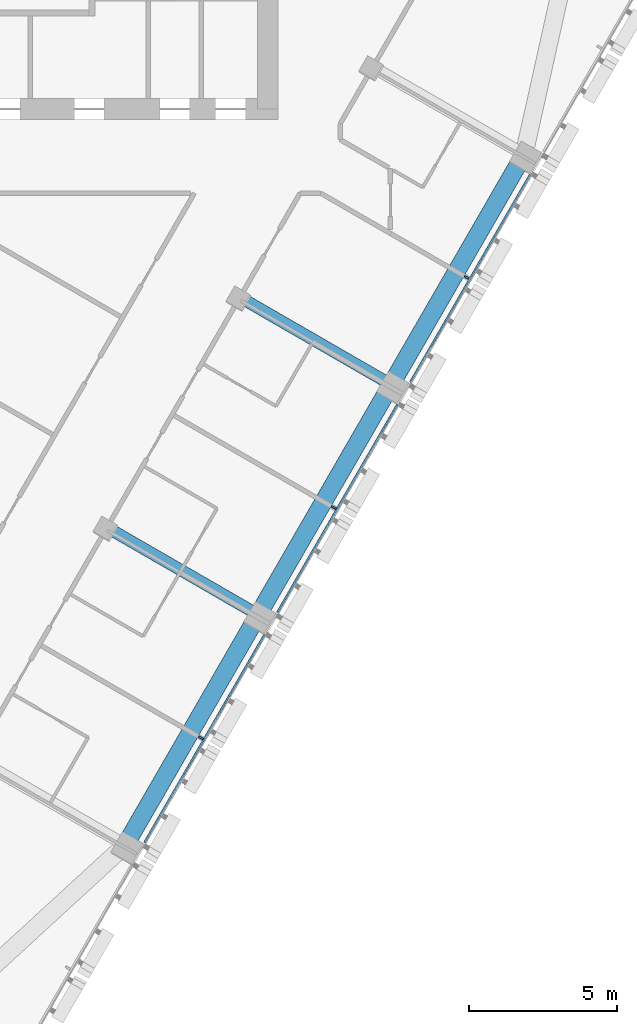
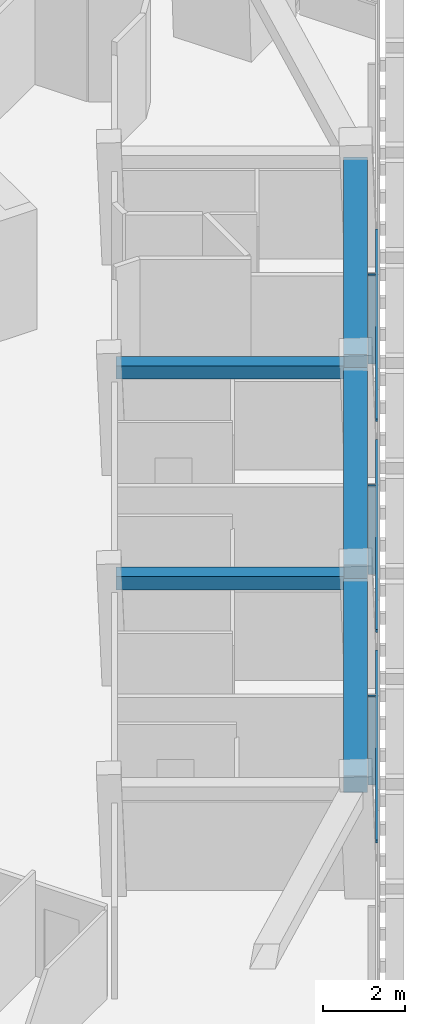
# One storey, part 4 of 16: 6 members, 5 beams, 1 element without a shape of its own.
"""IFC4 building model written with IfcOpenShell, lengths in metres."""

import ifcopenshell
import ifcopenshell.guid

model = None  # the IFC model being written
_history = None  # IfcOwnerHistory: only IFC2X3 demands one
_inside = {}  # id of a spatial element -> (the spatial element, [elements in it])
_under = {}  # id of a project, library or spatial element -> (it, [spatial elements below it])
_declared = {}  # id of a project -> (the project, [libraries it declares])
_typed = {}  # id of a type object -> (the type object, [elements of that type])
_made_of = {}  # id of a material, layer set ... -> (it, [elements and type objects made of it])


def new_model(schema):
    """Start an empty IFC model of exactly this schema.

    Asked for "IFC4X3", IfcOpenShell would pick the latest addendum, in which some entities
    have other attributes; the version numbers below select the first issue.
    IFC2X3 requires an IfcOwnerHistory on every rooted entity: one is made here for all.
    """
    global model, _history
    if schema == "IFC4X3":
        model = ifcopenshell.file(schema_version=(4, 3, 0, 0))
    else:
        model = ifcopenshell.file(schema=schema)
    _inside.clear()
    _under.clear()
    _declared.clear()
    _typed.clear()
    _made_of.clear()
    _history = None
    if model.schema == "IFC2X3":
        org = make("IfcOrganization", Name="unknown")
        user = make(
            "IfcPersonAndOrganization",
            ThePerson=make("IfcPerson", FamilyName="unknown"),
            TheOrganization=org,
        )
        app = make(
            "IfcApplication",
            ApplicationDeveloper=org,
            Version="unknown",
            ApplicationFullName="unknown",
            ApplicationIdentifier="unknown",
        )
        _history = make(
            "IfcOwnerHistory",
            OwningUser=user,
            OwningApplication=app,
            ChangeAction="ADDED",
            CreationDate=0,
        )
    return model


def make(cls, **values):
    """One entity of the class cls with the attributes given. An attribute that is None is left unset."""
    return model.create_entity(
        cls, **{name: value for name, value in values.items() if value is not None}
    )


def rooted(cls, **values):
    """An entity with a GlobalId (a new one), such as an element, a storey or a relation."""
    return make(cls, GlobalId=ifcopenshell.guid.new(), OwnerHistory=_history, **values)


def si_unit(unit_type, name, prefix=None):
    """IfcSIUnit, for example si_unit("LENGTHUNIT", "METRE", prefix="MILLI")."""
    return make("IfcSIUnit", UnitType=unit_type, Prefix=prefix, Name=name)


def assignment(units):
    """IfcUnitAssignment: the units of a project."""
    return None if units is None else make("IfcUnitAssignment", Units=units)


def point(xyz):
    """IfcCartesianPoint."""
    return None if xyz is None else make("IfcCartesianPoint", Coordinates=xyz)


def direction(xyz):
    """IfcDirection."""
    return None if xyz is None else make("IfcDirection", DirectionRatios=xyz)


def frame(location, z_axis=None, x_axis=None):
    """IfcAxis2Placement3D, a coordinate frame: its origin and axes. An axis left out is left unset."""
    return make(
        "IfcAxis2Placement3D",
        Location=point(location),
        Axis=direction(z_axis),
        RefDirection=direction(x_axis),
    )


def frame_2d(location, x_axis=None):
    """IfcAxis2Placement2D, a coordinate frame in the plane: its origin and x axis."""
    return make(
        "IfcAxis2Placement2D", Location=point(location), RefDirection=direction(x_axis)
    )


def origin():
    """The frame at (0, 0, 0) with its axes left unset."""
    return frame((0.0, 0.0, 0.0))


def origin_2d():
    """The frame at (0, 0) in the plane with its x axis left unset."""
    return frame_2d((0.0, 0.0))


def place(relative_to, where):
    """IfcLocalPlacement: puts the frame where relative to a parent placement (None: the world)."""
    return make(
        "IfcLocalPlacement", PlacementRelTo=relative_to, RelativePlacement=where
    )


def context(
    kind, dimensions, precision=None, world=None, true_north=None, identifier=None
):
    """IfcGeometricRepresentationContext, for example the 3D "Model" context."""
    return make(
        "IfcGeometricRepresentationContext",
        ContextIdentifier=identifier,
        ContextType=kind,
        CoordinateSpaceDimension=dimensions,
        Precision=precision,
        WorldCoordinateSystem=world,
        TrueNorth=true_north,
    )


def subcontext(parent, identifier, kind, view, scale=None):
    """IfcGeometricRepresentationSubContext, for example "Body" below "Model"."""
    return make(
        "IfcGeometricRepresentationSubContext",
        ContextIdentifier=identifier,
        ContextType=kind,
        ParentContext=parent,
        TargetScale=scale,
        TargetView=view,
    )


def project(units=None, contexts=None):
    """IfcProject with its units and contexts."""
    return rooted(
        "IfcProject",
        Name="project",
        RepresentationContexts=contexts,
        UnitsInContext=assignment(units),
    )


def spatial(cls, under=None, at=None, **own):
    """A site, building, storey or space (cls), placed at a placement, below another one or the project."""
    s = rooted(cls, ObjectPlacement=at, **own)
    if under is not None:
        _under.setdefault(under.id(), (under, []))[1].append(s)
    return s


def profile(cls, at=None, kind="AREA", **sizes):
    """A parametric profile (cls). Its sizes go by their IFC names, for example OverallWidth=200.0."""
    return make(cls, ProfileType=kind, Position=at, **sizes)


def rectangle(**sizes):
    """IfcRectangleProfileDef."""
    return profile("IfcRectangleProfileDef", **sizes)


def extrude(swept, where, along, depth):
    """IfcExtrudedAreaSolid: the profile swept, set in the frame where, extruded along a direction by depth."""
    return make(
        "IfcExtrudedAreaSolid",
        SweptArea=swept,
        Position=where,
        ExtrudedDirection=direction(along),
        Depth=depth,
    )


def shape(context_of_items, identifier, shape_type, items):
    """IfcShapeRepresentation: the items that make up one representation, for example the "Body"."""
    return make(
        "IfcShapeRepresentation",
        ContextOfItems=context_of_items,
        RepresentationIdentifier=identifier,
        RepresentationType=shape_type,
        Items=items,
    )


def material(Name=None, Category=None):
    """IfcMaterial."""
    return make("IfcMaterial", Name=Name, Category=Category)


def layer(
    of_material, thickness, ventilated=None, Name=None, Category=None, Priority=None
):
    """IfcMaterialLayer: one layer of a wall or slab, of a material (None: an air gap)."""
    return make(
        "IfcMaterialLayer",
        Material=of_material,
        LayerThickness=thickness,
        IsVentilated=ventilated,
        Name=Name,
        Category=Category,
        Priority=Priority,
    )


def layer_set(layers, Name=None):
    """IfcMaterialLayerSet."""
    return make("IfcMaterialLayerSet", MaterialLayers=layers, LayerSetName=Name)


def material_profile(
    of_material, cross_section, Name=None, Category=None, Priority=None
):
    """IfcMaterialProfile: a cross section and its material."""
    return make(
        "IfcMaterialProfile",
        Name=Name,
        Material=of_material,
        Profile=cross_section,
        Priority=Priority,
        Category=Category,
    )


def profile_set(profiles, Name=None, composite=None):
    """IfcMaterialProfileSet."""
    return make(
        "IfcMaterialProfileSet",
        Name=Name,
        MaterialProfiles=profiles,
        CompositeProfile=composite,
    )


def made_of(thing, what):
    """Note that an element or type object is made of a material, layer set ...; save() writes the relation."""
    if what is not None:
        _made_of.setdefault(what.id(), (what, []))[1].append(thing)
    return thing


def type_object(cls, material=None, **own):
    """A type object (cls), such as IfcWallType, which elements share."""
    return made_of(rooted(cls, **own), material)


def element(
    cls,
    number,
    at=None,
    inside=None,
    cuts=None,
    type_object=None,
    material=None,
    context=None,
    identifier="Body",
    shape_type=None,
    held_by="IfcProductDefinitionShape",
    body=None,
    shapes=None,
    **own,
):
    """One element of the class cls, such as IfcWall. Its Tag is "e" and its number.

    at: its placement. inside: the storey or other place that contains it. cuts: it is an
    opening in that element (IfcRelVoidsElement). A single representation is given by context,
    identifier, shape_type and body (its items); several are given by shapes. held_by: the class
    of the entity that holds the representations. save() writes the other relations.
    """
    e = rooted(cls, Tag="e%d" % number, ObjectPlacement=at, **own)
    if body is not None:
        shapes = [shape(context, identifier, shape_type, body)]
    if shapes is not None:
        e.Representation = make(held_by, Representations=shapes)
    if inside is not None:
        _inside.setdefault(inside.id(), (inside, []))[1].append(e)
    if cuts is not None:
        rooted(
            "IfcRelVoidsElement", RelatingBuildingElement=cuts, RelatedOpeningElement=e
        )
    if type_object is not None:
        _typed.setdefault(type_object.id(), (type_object, []))[1].append(e)
    return made_of(e, material)


def aggregate(whole, parts):
    """IfcRelAggregates: a whole, such as a stair, and the parts it consists of."""
    return rooted("IfcRelAggregates", RelatingObject=whole, RelatedObjects=parts)


def save(model, path):
    """Write the relations noted so far, then the file.

    IfcRelAggregates (storeys below a building ...), IfcRelContainedInSpatialStructure (elements
    in a storey), IfcRelDefinesByType, IfcRelAssociatesMaterial and IfcRelDeclares: one each for
    every whole, place, type object, material and project.
    """
    for whole, parts in _under.values():
        aggregate(whole, parts)
    for where, things in _inside.values():
        rooted(
            "IfcRelContainedInSpatialStructure",
            RelatedElements=things,
            RelatingStructure=where,
        )
    for kind, things in _typed.values():
        rooted("IfcRelDefinesByType", RelatedObjects=things, RelatingType=kind)
    for what, things in _made_of.values():
        rooted("IfcRelAssociatesMaterial", RelatedObjects=things, RelatingMaterial=what)
    for by, libraries in _declared.values():
        rooted("IfcRelDeclares", RelatingContext=by, RelatedDefinitions=libraries)
    model.write(path)


model = new_model("IFC4")

# Units and contexts
model_context = context("Model", 3, precision=1e-05, world=origin(), true_north=direction((0.0, 1.0)))
body_context = subcontext(model_context, "Body", "Model", "MODEL_VIEW")
ifc_project = project(units=[si_unit("LENGTHUNIT", "METRE"), si_unit("AREAUNIT", "SQUARE_METRE"), si_unit("VOLUMEUNIT", "CUBIC_METRE"), si_unit("PLANEANGLEUNIT", "RADIAN"), si_unit("MASSUNIT", "GRAM", prefix="KILO")], contexts=[model_context])

# Site, building, storey
site_placement = place(None, origin())
site = spatial("IfcSite", under=ifc_project, at=site_placement, CompositionType="ELEMENT")
building_placement = place(site_placement, origin())
building = spatial("IfcBuilding", under=site, at=building_placement, Name="Altiplano Prism Tower", CompositionType="ELEMENT")
storey_placement = place(building_placement, frame((0.0, 0.0, 181.800048828125)))
storey = spatial("IfcBuildingStorey", under=building, at=storey_placement, Name="L47", CompositionType="ELEMENT", Elevation=181.800048828125)

# Curtain wall, members
ifc_material_1 = material(Name="Aluminium and glass", Category="aluminium")
ifc_layer = layer(ifc_material_1, 0.280029296875)
ifc_layer_set = layer_set([ifc_layer], Name="Aluminium and glass")
curtain_wall_type = type_object("IfcCurtainWallType", Name="CW1 typical co-living unitised curtain wall", PredefinedType="NOTDEFINED", material=ifc_layer_set)
curtain_wall_placement = place(storey_placement, origin())
curtain_wall = element("IfcCurtainWall", 1, at=curtain_wall_placement, inside=storey, type_object=curtain_wall_type, Name="CW1 curtain wall south-east face L47", PredefinedType="NOTDEFINED")
ifc_material_2 = material(Name="Aluminium", Category="aluminium")
ifc_material_profile_1 = material_profile(ifc_material_2, rectangle(XDim=0.179931640625, YDim=0.06494140625, at=origin_2d()), Name="CW1 mullion 65 x 180")
ifc_profile_set_1 = profile_set([ifc_material_profile_1], Name="Aluminium")
member_type_1 = type_object("IfcMemberType", Name="CW1 mullion 65 x 180", PredefinedType="MULLION", material=ifc_profile_set_1)
member_1_placement = place(storey_placement, frame((95.08251953125, 71.75830078125, 0.0), z_axis=(0.0, 0.0, 1.0), x_axis=(-0.866025409055, 0.499999990871, 0.0)))
member_1 = element("IfcMember", 2, at=member_1_placement, type_object=member_type_1, Name="CW1 mullion", PredefinedType="MULLION", context=body_context, shape_type="SweptSolid", body=[
    extrude(rectangle(XDim=0.179931640625, YDim=0.06494140625, at=origin_2d()), origin(), (0.0, 0.0, 1.0), 2.64990234375),
])
member_2_placement = place(storey_placement, frame((99.58251953125, 79.552490234375, 0.0), z_axis=(0.0, 0.0, 1.0), x_axis=(-0.866025409055, 0.499999990871, 0.0)))
member_2 = element("IfcMember", 3, at=member_2_placement, type_object=member_type_1, Name="CW1 mullion", PredefinedType="MULLION", context=body_context, shape_type="SweptSolid", body=[
    extrude(rectangle(XDim=0.179931640625, YDim=0.06494140625, at=origin_2d()), origin(), (0.0, 0.0, 1.0), 2.64990234375),
])
member_3_placement = place(storey_placement, frame((104.08251953125, 87.3466796875, 0.0), z_axis=(0.0, 0.0, 1.0), x_axis=(-0.866025409055, 0.499999990871, 0.0)))
member_3 = element("IfcMember", 4, at=member_3_placement, type_object=member_type_1, Name="CW1 mullion", PredefinedType="MULLION", context=body_context, shape_type="SweptSolid", body=[
    extrude(rectangle(XDim=0.179931640625, YDim=0.06494140625, at=origin_2d()), origin(), (0.0, 0.0, 1.0), 2.64990234375),
])
ifc_material_profile_2 = material_profile(ifc_material_2, rectangle(XDim=0.06005859375, YDim=0.080078125, at=origin_2d()), Name="CW1 transom 80 x 60")
ifc_profile_set_2 = profile_set([ifc_material_profile_2], Name="Aluminium")
member_type_2 = type_object("IfcMemberType", Name="CW1 transom 80 x 60", PredefinedType="USERDEFINED", material=ifc_profile_set_2)
member_4_placement = place(storey_placement, frame((93.176025390625, 68.21630859375, 1.099853515625), z_axis=(0.500000064182, 0.866025366729, 0.0), x_axis=(-0.866025366729, 0.500000064182, 0.0)))
member_4 = element("IfcMember", 5, at=member_4_placement, type_object=member_type_2, Name="CW1 transom", ObjectType="TRANSOM", PredefinedType="USERDEFINED", context=body_context, shape_type="SweptSolid", body=[
    extrude(rectangle(XDim=0.06005859375, YDim=0.080078125, at=origin_2d()), origin(), (0.0, 0.0, 1.0), 8.1201171875),
])
member_5_placement = place(storey_placement, frame((97.676025390625, 76.0107421875, 1.099853515625), z_axis=(0.50001308349, 0.866017849896, 0.0), x_axis=(-0.866017849896, 0.50001308349, 0.0)))
member_5 = element("IfcMember", 6, at=member_5_placement, type_object=member_type_2, Name="CW1 transom", ObjectType="TRANSOM", PredefinedType="USERDEFINED", context=body_context, shape_type="SweptSolid", body=[
    extrude(rectangle(XDim=0.06005859375, YDim=0.080078125, at=origin_2d()), origin(), (0.0, 0.0, 1.0), 8.119873046875),
])
member_6_placement = place(storey_placement, frame((102.176025390625, 83.804931640625, 1.099853515625), z_axis=(0.50001308349, 0.866017849896, 0.0), x_axis=(-0.866017849896, 0.50001308349, 0.0)))
member_6 = element("IfcMember", 7, at=member_6_placement, type_object=member_type_2, Name="CW1 transom", ObjectType="TRANSOM", PredefinedType="USERDEFINED", context=body_context, shape_type="SweptSolid", body=[
    extrude(rectangle(XDim=0.06005859375, YDim=0.080078125, at=origin_2d()), origin(), (0.0, 0.0, 1.0), 8.119873046875),
])
aggregate(curtain_wall, [member_1, member_4, member_2, member_5, member_3, member_6])

# Beams
ifc_material_3 = material(Name="Concrete C60/75", Category="concrete")
ifc_material_profile_3 = material_profile(ifc_material_3, rectangle(XDim=0.60009765625, YDim=0.5, at=origin_2d()), Name="Edge beam 600x500")
ifc_profile_set_3 = profile_set([ifc_material_profile_3], Name="Concrete C60/75")
beam_type_1 = type_object("IfcBeamType", Name="Edge beam 600x500", PredefinedType="SPANDREL", material=ifc_profile_set_3)
for number, where, z_axis, x_axis, name in (
    (8, (92.667236328125, 68.3720703125, 2.89990234375), (0.499993714791, 0.866029032521, 0.0), (-0.866029032521, 0.499993714791, 0.0), "Edge beam P21-P22 L48"),
    (9, (97.167236328125, 76.16650390625, 2.89990234375), (0.500006240468, 0.866021800818, 0.0), (-0.866021800818, 0.500006240468, 0.0), "Edge beam P22-P23 L48"),
    (10, (101.667236328125, 83.960693359375, 2.89990234375), (0.500006240468, 0.866021800818, 0.0), (-0.866021800818, 0.500006240468, 0.0), "Edge beam P23-P24 L48"),
):
    element("IfcBeam", number, at=place(storey_placement, frame(where, z_axis=z_axis, x_axis=x_axis)), inside=storey, type_object=beam_type_1, Name=name, PredefinedType="SPANDREL", context=body_context, shape_type="SweptSolid", body=[
        extrude(rectangle(XDim=0.60009765625, YDim=0.5, at=origin_2d()), origin(), (0.0, 0.0, 1.0), 8.43994140625),
    ])
ifc_material_profile_4 = material_profile(ifc_material_3, rectangle(XDim=0.39990234375, YDim=0.39990234375, at=origin_2d()), Name="Tie beam 400x400")
ifc_profile_set_4 = profile_set([ifc_material_profile_4], Name="Concrete C60/75")
beam_type_2 = type_object("IfcBeamType", Name="Tie beam 400x400", PredefinedType="BEAM", material=ifc_profile_set_4)
for number, where, z_axis, x_axis, name in (
    (11, (91.943603515625, 78.85888671875, 2.949951171875), (0.866041588165, -0.499971966783, 0.0), (0.499971966783, 0.866041588165, 0.0), "Tie beam I22 L48"),
    (12, (96.443603515625, 86.653076171875, 2.949951171875), (0.866041588165, -0.499971966783, 0.0), (0.499971966783, 0.866041588165, 0.0), "Tie beam I23 L48"),
):
    element("IfcBeam", number, at=place(storey_placement, frame(where, z_axis=z_axis, x_axis=x_axis)), inside=storey, type_object=beam_type_2, Name=name, PredefinedType="BEAM", context=body_context, shape_type="SweptSolid", body=[
        extrude(rectangle(XDim=0.39990234375, YDim=0.39990234375, at=origin_2d()), origin(), (0.0, 0.0, 1.0), 5.590087890625),
    ])

save(model, "model.ifc")
